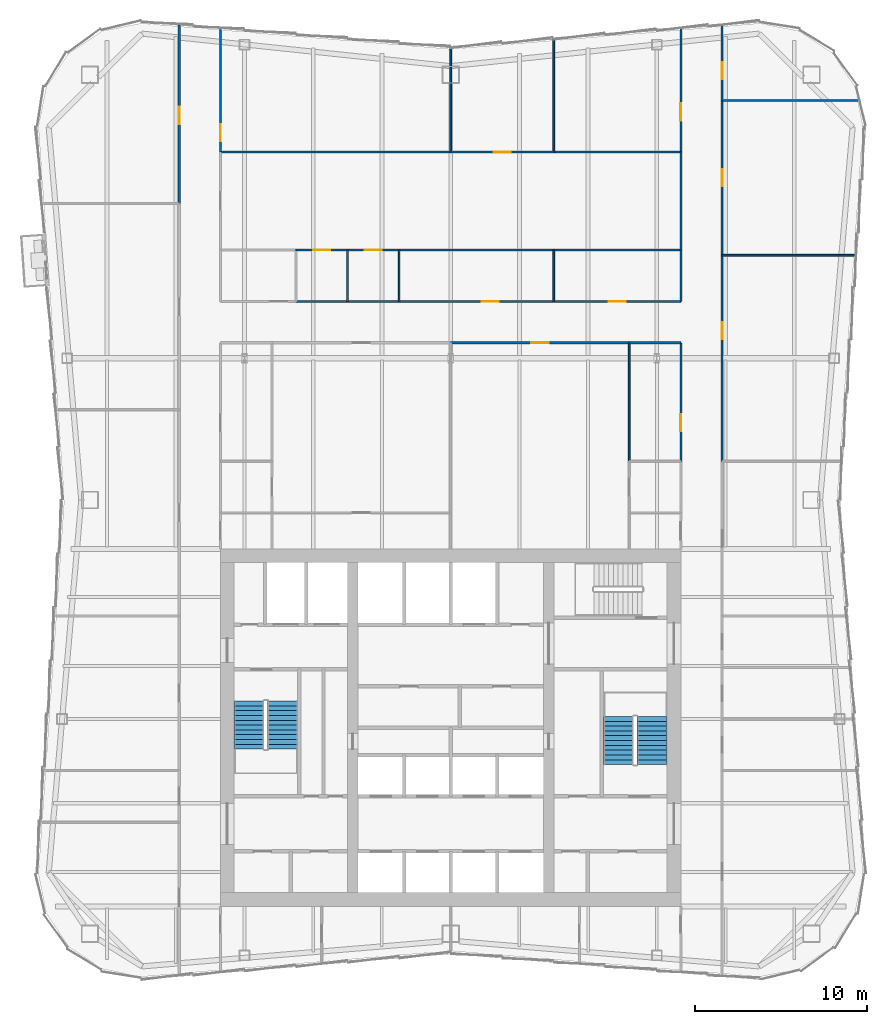
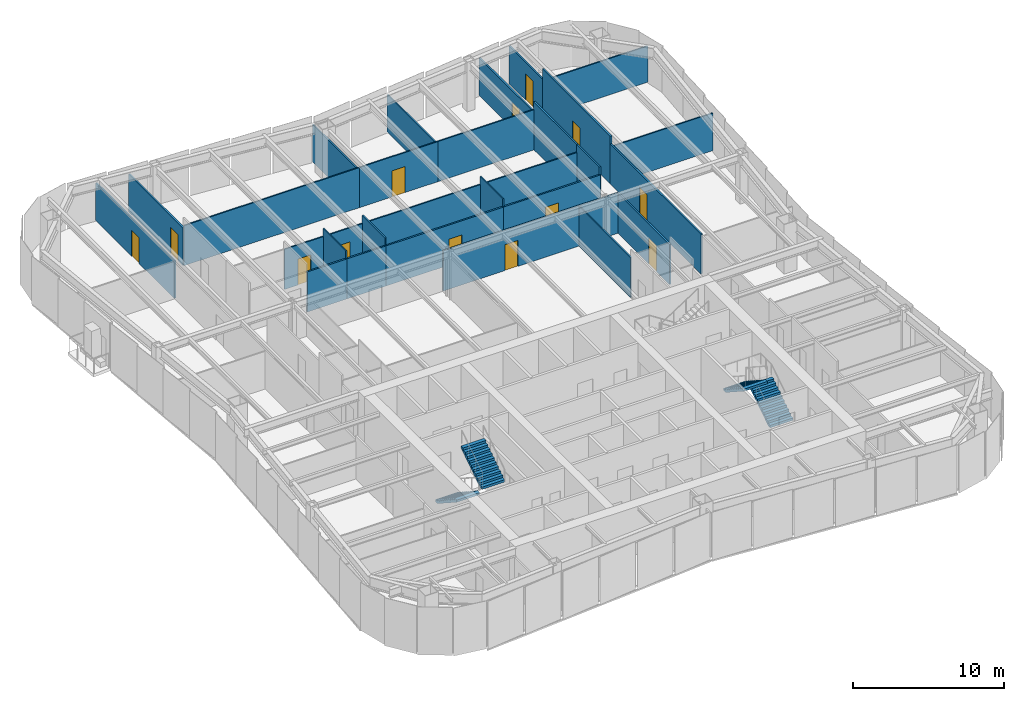
# One storey, part 9 of 12: 30 walls, 13 doors, 4 stair flights, 13 openings, 2 elements without a shape of their own.
"""IFC4 building model written with IfcOpenShell, lengths in metres."""

from ifc_helpers import new_model, si_unit, direction, frame, frame_2d, origin, place, context, subcontext, project, spatial, polyline, rectangle, outline, extrude, material, layer, layer_set, type_object, element, fill, aggregate, save


model = new_model("IFC4")

# Units and contexts
model_context = context("Model", 3, precision=1e-05, world=origin(), true_north=direction((0.0, 1.0)))
body_context = subcontext(model_context, "Body", "Model", "MODEL_VIEW")
ifc_project = project(units=[si_unit("LENGTHUNIT", "METRE"), si_unit("AREAUNIT", "SQUARE_METRE"), si_unit("VOLUMEUNIT", "CUBIC_METRE"), si_unit("PLANEANGLEUNIT", "RADIAN"), si_unit("MASSUNIT", "GRAM", prefix="KILO")], contexts=[model_context])

# Site, building, storey
site_placement = place(None, origin())
site = spatial("IfcSite", under=ifc_project, at=site_placement, CompositionType="ELEMENT")
building_placement = place(site_placement, origin())
building = spatial("IfcBuilding", under=site, at=building_placement, Name="Verdant Reach Tower", CompositionType="ELEMENT")
storey_placement = place(building_placement, frame((0.0, 0.0, 246.0)))
storey = spatial("IfcBuildingStorey", under=building, at=storey_placement, Name="L56", CompositionType="ELEMENT", Elevation=246.0)

# Walls
ifc_material_1 = material(Name="Gypsum board on steel studs", Category="steel")
ifc_layer_1 = layer(ifc_material_1, 0.10009765625)
ifc_layer_set_1 = layer_set([ifc_layer_1], Name="FL-W1 Partition 100")
wall_type_1 = type_object("IfcWallType", Name="FL-W1 Partition 100", PredefinedType="PARTITIONING", material=ifc_layer_set_1)
wall_1_placement = place(storey_placement, frame((23.562744140625, 55.5, 0.0), z_axis=(0.0, 0.0, 1.0), x_axis=(-1.0, 0.0, 0.0)))
element("IfcWall", 1, at=wall_1_placement, inside=storey, type_object=wall_type_1, Name="Partition 56.48", PredefinedType="PARTITIONING", context=body_context, shape_type="SweptSolid", body=[
    extrude(rectangle(XDim=7.7626953125, YDim=0.10009765625, at=frame_2d((3.88134765625, 0.0))), origin(), (0.0, 0.0, 1.0), 3.0400390625),
])
wall_2_placement = place(storey_placement, frame((23.781494140625, 64.5, 0.0), z_axis=(0.0, 0.0, 1.0), x_axis=(-1.0, 0.0, 0.0)))
element("IfcWall", 2, at=wall_2_placement, inside=storey, type_object=wall_type_1, Name="Partition 56.49", PredefinedType="PARTITIONING", context=body_context, shape_type="SweptSolid", body=[
    extrude(rectangle(XDim=7.9814453125, YDim=0.10009765625, at=frame_2d((3.99072265625, 0.0))), origin(), (0.0, 0.0, 1.0), 2.929931640625),
])
wall_3_placement = place(storey_placement, frame((10.39990234375, 50.39990234375, 0.0), z_axis=(0.0, 0.0, 1.0), x_axis=(0.0, -1.0, 0.0)))
element("IfcWall", 3, at=wall_3_placement, inside=storey, type_object=wall_type_1, Name="Partition 56.65", PredefinedType="PARTITIONING", context=body_context, shape_type="SweptSolid", body=[
    extrude(rectangle(XDim=6.90380859375, YDim=0.10009765625, at=frame_2d((3.451904296875, 0.0))), origin(), (0.0, 0.0, 1.0), 3.239990234375),
])
wall_4_placement = place(storey_placement, frame((-6.0, 52.800048828125, 0.0), z_axis=(0.0, 0.0, 1.0), x_axis=(0.0, 1.0, 0.0)))
element("IfcWall", 4, at=wall_4_placement, inside=storey, type_object=wall_type_1, Name="Partition 56.68", PredefinedType="PARTITIONING", context=body_context, shape_type="SweptSolid", body=[
    extrude(rectangle(XDim=3.0, YDim=0.10009765625, at=frame_2d((1.5, 0.0))), origin(), (0.0, 0.0, 1.0), 3.8701171875),
])

# Wall, opening, door
wall_5_placement = place(storey_placement, frame((-5.99609375, 55.800048828125, 0.0), z_axis=(0.0, 0.0, 1.0), x_axis=(-1.0, 0.0, 0.0)))
wall_5 = element("IfcWall", 5, at=wall_5_placement, inside=storey, type_object=wall_type_1, Name="Partition 56.69", PredefinedType="PARTITIONING", context=body_context, shape_type="SweptSolid", body=[
    extrude(rectangle(XDim=3.0078125, YDim=0.10009765625, at=frame_2d((1.50390625, 0.0))), origin(), (0.0, 0.0, 1.0), 3.239990234375),
])
opening_1_placement = place(wall_5_placement, frame((1.00390625, 0.0, 0.0)))
opening_1 = element("IfcOpeningElement", 6, at=opening_1_placement, cuts=wall_5, Name="Opening D3", PredefinedType="OPENING", context=body_context, shape_type="SweptSolid", body=[
    extrude(rectangle(XDim=1.0, YDim=2.10009765625, at=frame_2d((0.5, 1.050048828125))), frame((0.0, 0.06005859375, 0.0), z_axis=(0.0, -1.0, 0.0), x_axis=(1.0, 0.0, 0.0)), (0.0, 0.0, 1.0), 0.1201171875),
])
ifc_material_2 = material(Name="Painted timber door leaf", Category="wood")
door_type_1 = type_object("IfcDoorType", Name="FL-D3 Door 1000x2100", OperationType="NOTDEFINED", PredefinedType="DOOR", material=ifc_material_2)
door_1_placement = place(opening_1_placement, origin())
door_1 = element("IfcDoor", 7, at=door_1_placement, inside=storey, type_object=door_type_1, Name="Door 56-034", OperationType="SINGLE_SWING_RIGHT", OverallHeight=2.10009765625, OverallWidth=1.0, PredefinedType="DOOR", context=body_context, shape_type="SweptSolid", body=[
    extrude(rectangle(XDim=1.0, YDim=2.10009765625, at=frame_2d((0.5, 1.050048828125))), frame((0.0, 0.02490234375, 0.0), z_axis=(0.0, -1.0, 0.0), x_axis=(1.0, 0.0, 0.0)), (0.0, 0.0, 1.0), 0.050048828125),
])
fill(opening_1, door_1)

# Wall
wall_6_placement = place(storey_placement, frame((-3.0, 52.800048828125, 0.0), z_axis=(0.0, 0.0, 1.0), x_axis=(0.0, 1.0, 0.0)))
element("IfcWall", 8, at=wall_6_placement, inside=storey, type_object=wall_type_1, Name="Partition 56.70", PredefinedType="PARTITIONING", context=body_context, shape_type="SweptSolid", body=[
    extrude(rectangle(XDim=3.0, YDim=0.10009765625, at=frame_2d((1.5, 0.0))), origin(), (0.0, 0.0, 1.0), 3.8701171875),
])

# Wall, opening, door
wall_7_placement = place(storey_placement, frame((-2.99609375, 55.800048828125, 0.0), z_axis=(0.0, 0.0, 1.0), x_axis=(-1.0, 0.0, 0.0)))
wall_7 = element("IfcWall", 9, at=wall_7_placement, inside=storey, type_object=wall_type_1, Name="Partition 56.71", PredefinedType="PARTITIONING", context=body_context, shape_type="SweptSolid", body=[
    extrude(rectangle(XDim=3.0078125, YDim=0.10009765625, at=frame_2d((1.50390625, 0.0))), origin(), (0.0, 0.0, 1.0), 3.239990234375),
])
opening_2_placement = place(wall_7_placement, frame((1.00390625, 0.0, 0.0)))
opening_2 = element("IfcOpeningElement", 10, at=opening_2_placement, cuts=wall_7, Name="Opening D3", PredefinedType="OPENING", context=body_context, shape_type="SweptSolid", body=[
    extrude(rectangle(XDim=1.0, YDim=2.10009765625, at=frame_2d((0.5, 1.050048828125))), frame((0.0, 0.06005859375, 0.0), z_axis=(0.0, -1.0, 0.0), x_axis=(1.0, 0.0, 0.0)), (0.0, 0.0, 1.0), 0.1201171875),
])
door_2_placement = place(opening_2_placement, origin())
door_2 = element("IfcDoor", 11, at=door_2_placement, inside=storey, type_object=door_type_1, Name="Door 56-035", OperationType="SINGLE_SWING_LEFT", OverallHeight=2.10009765625, OverallWidth=1.0, PredefinedType="DOOR", context=body_context, shape_type="SweptSolid", body=[
    extrude(rectangle(XDim=1.0, YDim=2.10009765625, at=frame_2d((0.5, 1.050048828125))), frame((0.0, 0.02490234375, 0.0), z_axis=(0.0, -1.0, 0.0), x_axis=(1.0, 0.0, 0.0)), (0.0, 0.0, 1.0), 0.050048828125),
])
fill(opening_2, door_2)

# Walls
wall_8_placement = place(storey_placement, frame((6.0, 52.800048828125, 0.0), z_axis=(0.0, 0.0, 1.0), x_axis=(0.0, 1.0, 0.0)))
element("IfcWall", 12, at=wall_8_placement, inside=storey, type_object=wall_type_1, Name="Partition 56.72", PredefinedType="PARTITIONING", context=body_context, shape_type="SweptSolid", body=[
    extrude(rectangle(XDim=3.0, YDim=0.10009765625, at=frame_2d((1.5, 0.0))), origin(), (0.0, 0.0, 1.0), 3.8701171875),
])
wall_9_placement = place(storey_placement, frame((6.00390625, 55.800048828125, 0.0), z_axis=(0.0, 0.0, 1.0), x_axis=(-1.0, 0.0, 0.0)))
element("IfcWall", 13, at=wall_9_placement, inside=storey, type_object=wall_type_1, Name="Partition 56.73", PredefinedType="PARTITIONING", context=body_context, shape_type="SweptSolid", body=[
    extrude(rectangle(XDim=9.0078125, YDim=0.10009765625, at=frame_2d((4.50390625, 0.0))), origin(), (0.0, 0.0, 1.0), 3.239990234375),
])
wall_10_placement = place(storey_placement, frame((13.39990234375, 55.800048828125, 0.0), z_axis=(0.0, 0.0, 1.0), x_axis=(-1.0, 0.0, 0.0)))
element("IfcWall", 14, at=wall_10_placement, inside=storey, type_object=wall_type_1, Name="Partition 56.74", PredefinedType="PARTITIONING", context=body_context, shape_type="SweptSolid", body=[
    extrude(rectangle(XDim=7.40380859375, YDim=0.10009765625, at=frame_2d((3.701904296875, 0.0))), origin(), (0.0, 0.0, 1.0), 3.239990234375),
])
wall_11_placement = place(storey_placement, frame((0.0, 61.5, 0.0), z_axis=(0.0, 0.0, 1.0), x_axis=(-1.0, 0.0, 0.0)))
element("IfcWall", 15, at=wall_11_placement, inside=storey, type_object=wall_type_1, Name="Partition 56.75", PredefinedType="PARTITIONING", context=body_context, shape_type="SweptSolid", body=[
    extrude(rectangle(XDim=13.39990234375, YDim=0.10009765625, at=frame_2d((6.699951171875, 0.0))), origin(), (0.0, 0.0, 1.0), 3.239990234375),
])

# Wall, opening, door
wall_12_placement = place(storey_placement, frame((0.0, 61.5, 0.0), z_axis=(0.0, 0.0, 1.0), x_axis=(1.0, 0.0, 0.0)))
wall_12 = element("IfcWall", 16, at=wall_12_placement, inside=storey, type_object=wall_type_1, Name="Partition 56.76", PredefinedType="PARTITIONING", context=body_context, shape_type="SweptSolid", body=[
    extrude(rectangle(XDim=6.0, YDim=0.10009765625, at=frame_2d((3.0, 0.0))), origin(), (0.0, 0.0, 1.0), 3.239990234375),
])
opening_3_placement = place(wall_12_placement, frame((2.5, 0.0, 0.0)))
opening_3 = element("IfcOpeningElement", 17, at=opening_3_placement, cuts=wall_12, Name="Opening D3", PredefinedType="OPENING", context=body_context, shape_type="SweptSolid", body=[
    extrude(rectangle(XDim=1.0, YDim=2.10009765625, at=frame_2d((0.5, 1.050048828125))), frame((0.0, 0.06005859375, 0.0), z_axis=(0.0, -1.0, 0.0), x_axis=(1.0, 0.0, 0.0)), (0.0, 0.0, 1.0), 0.1201171875),
])
door_3_placement = place(opening_3_placement, origin())
door_3 = element("IfcDoor", 18, at=door_3_placement, inside=storey, type_object=door_type_1, Name="Door 56-036", OperationType="SINGLE_SWING_RIGHT", OverallHeight=2.10009765625, OverallWidth=1.0, PredefinedType="DOOR", context=body_context, shape_type="SweptSolid", body=[
    extrude(rectangle(XDim=1.0, YDim=2.10009765625, at=frame_2d((0.5, 1.050048828125))), frame((0.0, 0.02490234375, 0.0), z_axis=(0.0, -1.0, 0.0), x_axis=(1.0, 0.0, 0.0)), (0.0, 0.0, 1.0), 0.050048828125),
])
fill(opening_3, door_3)

# Walls
wall_13_placement = place(storey_placement, frame((13.39990234375, 61.5, 0.0), z_axis=(0.0, 0.0, 1.0), x_axis=(-1.0, 0.0, 0.0)))
element("IfcWall", 19, at=wall_13_placement, inside=storey, type_object=wall_type_1, Name="Partition 56.77", PredefinedType="PARTITIONING", context=body_context, shape_type="SweptSolid", body=[
    extrude(rectangle(XDim=7.39990234375, YDim=0.10009765625, at=frame_2d((3.699951171875, 0.0))), origin(), (0.0, 0.0, 1.0), 3.239990234375),
])
wall_14_placement = place(storey_placement, frame((0.0, 61.5, 0.0), z_axis=(0.0, 0.0, 1.0), x_axis=(0.0, 1.0, 0.0)))
element("IfcWall", 20, at=wall_14_placement, inside=storey, type_object=wall_type_1, Name="Partition 56.78", PredefinedType="PARTITIONING", context=body_context, shape_type="SweptSolid", body=[
    extrude(rectangle(XDim=6.080078125, YDim=0.10009765625, at=frame_2d((3.0400390625, 0.0))), origin(), (0.0, 0.0, 1.0), 3.0400390625),
])
wall_15_placement = place(storey_placement, frame((6.0, 61.5, 0.0), z_axis=(0.0, 0.0, 1.0), x_axis=(0.0, 1.0, 0.0)))
element("IfcWall", 21, at=wall_15_placement, inside=storey, type_object=wall_type_1, Name="Partition 56.79", PredefinedType="PARTITIONING", context=body_context, shape_type="SweptSolid", body=[
    extrude(rectangle(XDim=6.580078125, YDim=0.10009765625, at=frame_2d((3.2900390625, 0.0))), origin(), (0.0, 0.0, 1.0), 3.0400390625),
])

# Wall, opening, door
ifc_material_3 = material(Name="Gypsum board on steel studs, fire rated", Category="steel")
ifc_layer_2 = layer(ifc_material_3, 0.125)
ifc_layer_set_2 = layer_set([ifc_layer_2], Name="FL-W2 Corridor wall 125")
wall_type_2 = type_object("IfcWallType", Name="FL-W2 Corridor wall 125", PredefinedType="PARTITIONING", material=ifc_layer_set_2)
wall_16_placement = place(storey_placement, frame((-15.800048828125, 58.5, 0.0), z_axis=(0.0, 0.0, 1.0), x_axis=(0.0, 1.0, 0.0)))
wall_16 = element("IfcWall", 22, at=wall_16_placement, inside=storey, type_object=wall_type_2, Name="Partition 56.06", PredefinedType="PARTITIONING", context=body_context, shape_type="SweptSolid", body=[
    extrude(rectangle(XDim=10.396728515625, YDim=0.125, at=frame_2d((5.1982421875, 0.0))), origin(), (0.0, 0.0, 1.0), 3.0400390625),
])
opening_4_placement = place(wall_16_placement, frame((4.63330078125, 0.0, 0.0)))
opening_4 = element("IfcOpeningElement", 23, at=opening_4_placement, cuts=wall_16, Name="Opening D2", PredefinedType="OPENING", context=body_context, shape_type="SweptSolid", body=[
    extrude(rectangle(XDim=1.0, YDim=2.10009765625, at=frame_2d((0.5, 1.050048828125))), frame((0.0, 0.072509765625, 0.0), z_axis=(0.0, -1.0, 0.0), x_axis=(1.0, 0.0, 0.0)), (0.0, 0.0, 1.0), 0.14501953125),
])
ifc_material_4 = material(Name="Timber door leaf, fire rated", Category="wood")
door_type_2 = type_object("IfcDoorType", Name="FL-D2 Entrance door 1000x2100 FD30", OperationType="NOTDEFINED", PredefinedType="DOOR", material=ifc_material_4)
door_4_placement = place(opening_4_placement, origin())
door_4 = element("IfcDoor", 24, at=door_4_placement, inside=storey, type_object=door_type_2, Name="Door 56-006", OperationType="SINGLE_SWING_LEFT", OverallHeight=2.10009765625, OverallWidth=1.0, PredefinedType="DOOR", context=body_context, shape_type="SweptSolid", body=[
    extrude(rectangle(XDim=1.0, YDim=2.10009765625, at=frame_2d((0.5, 1.050048828125))), frame((0.0, 0.02490234375, 0.0), z_axis=(0.0, -1.0, 0.0), x_axis=(1.0, 0.0, 0.0)), (0.0, 0.0, 1.0), 0.050048828125),
])
fill(opening_4, door_4)

wall_17_placement = place(storey_placement, frame((15.800048828125, 55.5, 0.0), z_axis=(0.0, 0.0, 1.0), x_axis=(0.0, -1.0, 0.0)))
wall_17 = element("IfcWall", 25, at=wall_17_placement, inside=storey, type_object=wall_type_2, Name="Partition 56.12", PredefinedType="PARTITIONING", context=body_context, shape_type="SweptSolid", body=[
    extrude(rectangle(XDim=12.0, YDim=0.125, at=frame_2d((6.0, 0.0))), origin(), (0.0, 0.0, 1.0), 3.239990234375),
])
opening_5_placement = place(wall_17_placement, frame((3.89990234375, 0.0, 0.0)))
opening_5 = element("IfcOpeningElement", 26, at=opening_5_placement, cuts=wall_17, Name="Opening D2", PredefinedType="OPENING", context=body_context, shape_type="SweptSolid", body=[
    extrude(rectangle(XDim=1.0, YDim=2.10009765625, at=frame_2d((0.5, 1.050048828125))), frame((0.0, 0.072509765625, 0.0), z_axis=(0.0, -1.0, 0.0), x_axis=(1.0, 0.0, 0.0)), (0.0, 0.0, 1.0), 0.14501953125),
])
door_5_placement = place(opening_5_placement, origin())
door_5 = element("IfcDoor", 27, at=door_5_placement, inside=storey, type_object=door_type_2, Name="Door 56-012", OperationType="SINGLE_SWING_LEFT", OverallHeight=2.10009765625, OverallWidth=1.0, PredefinedType="DOOR", context=body_context, shape_type="SweptSolid", body=[
    extrude(rectangle(XDim=1.0, YDim=2.10009765625, at=frame_2d((0.5, 1.050048828125))), frame((0.0, 0.02490234375, 0.0), z_axis=(0.0, -1.0, 0.0), x_axis=(1.0, 0.0, 0.0)), (0.0, 0.0, 1.0), 0.050048828125),
])
fill(opening_5, door_5)

wall_18_placement = place(storey_placement, frame((15.800048828125, 64.5, 0.0), z_axis=(0.0, 0.0, 1.0), x_axis=(0.0, -1.0, 0.0)))
wall_18 = element("IfcWall", 28, at=wall_18_placement, inside=storey, type_object=wall_type_2, Name="Partition 56.13", PredefinedType="PARTITIONING", context=body_context, shape_type="SweptSolid", body=[
    extrude(rectangle(XDim=9.0, YDim=0.125, at=frame_2d((4.5, 0.0))), origin(), (0.0, 0.0, 1.0), 3.8701171875),
])
opening_6_placement = place(wall_18_placement, frame((4.0, 0.0, 0.0)))
opening_6 = element("IfcOpeningElement", 29, at=opening_6_placement, cuts=wall_18, Name="Opening D2", PredefinedType="OPENING", context=body_context, shape_type="SweptSolid", body=[
    extrude(rectangle(XDim=1.0, YDim=2.10009765625, at=frame_2d((0.5, 1.050048828125))), frame((0.0, 0.072509765625, 0.0), z_axis=(0.0, -1.0, 0.0), x_axis=(1.0, 0.0, 0.0)), (0.0, 0.0, 1.0), 0.14501953125),
])
door_6_placement = place(opening_6_placement, origin())
door_6 = element("IfcDoor", 30, at=door_6_placement, inside=storey, type_object=door_type_2, Name="Door 56-013", OperationType="SINGLE_SWING_LEFT", OverallHeight=2.10009765625, OverallWidth=1.0, PredefinedType="DOOR", context=body_context, shape_type="SweptSolid", body=[
    extrude(rectangle(XDim=1.0, YDim=2.10009765625, at=frame_2d((0.5, 1.050048828125))), frame((0.0, 0.02490234375, 0.0), z_axis=(0.0, -1.0, 0.0), x_axis=(1.0, 0.0, 0.0)), (0.0, 0.0, 1.0), 0.050048828125),
])
fill(opening_6, door_6)

wall_19_placement = place(storey_placement, frame((15.800048828125, 68.896728515625, 0.0), z_axis=(0.0, 0.0, 1.0), x_axis=(0.0, -1.0, 0.0)))
wall_19 = element("IfcWall", 31, at=wall_19_placement, inside=storey, type_object=wall_type_2, Name="Partition 56.14", PredefinedType="PARTITIONING", context=body_context, shape_type="SweptSolid", body=[
    extrude(rectangle(XDim=4.396728515625, YDim=0.125, at=frame_2d((2.1982421875, 0.0))), origin(), (0.0, 0.0, 1.0), 3.0400390625),
])
opening_7_placement = place(wall_19_placement, frame((2.163330078125, 0.0, 0.0)))
opening_7 = element("IfcOpeningElement", 32, at=opening_7_placement, cuts=wall_19, Name="Opening D2", PredefinedType="OPENING", context=body_context, shape_type="SweptSolid", body=[
    extrude(rectangle(XDim=1.0, YDim=2.10009765625, at=frame_2d((0.5, 1.050048828125))), frame((0.0, 0.072509765625, 0.0), z_axis=(0.0, -1.0, 0.0), x_axis=(1.0, 0.0, 0.0)), (0.0, 0.0, 1.0), 0.14501953125),
])
door_7_placement = place(opening_7_placement, origin())
door_7 = element("IfcDoor", 33, at=door_7_placement, inside=storey, type_object=door_type_2, Name="Door 56-014", OperationType="SINGLE_SWING_RIGHT", OverallHeight=2.10009765625, OverallWidth=1.0, PredefinedType="DOOR", context=body_context, shape_type="SweptSolid", body=[
    extrude(rectangle(XDim=1.0, YDim=2.10009765625, at=frame_2d((0.5, 1.050048828125))), frame((0.0, 0.02490234375, 0.0), z_axis=(0.0, -1.0, 0.0), x_axis=(1.0, 0.0, 0.0)), (0.0, 0.0, 1.0), 0.050048828125),
])
fill(opening_7, door_7)

# Wall
wall_20_placement = place(storey_placement, frame((13.39990234375, 50.39990234375, 0.0), z_axis=(0.0, 0.0, 1.0), x_axis=(-1.0, 0.0, 0.0)))
element("IfcWall", 34, at=wall_20_placement, inside=storey, type_object=wall_type_2, Name="Partition 56.24", PredefinedType="PARTITIONING", context=body_context, shape_type="SweptSolid", body=[
    extrude(rectangle(XDim=3.0, YDim=0.125, at=frame_2d((1.5, 0.0))), origin(), (0.0, 0.0, 1.0), 3.239990234375),
])

# Wall, opening, door
wall_21_placement = place(storey_placement, frame((13.39990234375, 43.5, 0.0), z_axis=(0.0, 0.0, 1.0), x_axis=(0.0, 1.0, 0.0)))
wall_21 = element("IfcWall", 35, at=wall_21_placement, inside=storey, type_object=wall_type_2, Name="Partition 56.25", PredefinedType="PARTITIONING", context=body_context, shape_type="SweptSolid", body=[
    extrude(rectangle(XDim=6.89990234375, YDim=0.125, at=frame_2d((3.449951171875, 0.0))), origin(), (0.0, 0.0, 1.0), 3.239990234375),
])
opening_8_placement = place(wall_21_placement, frame((1.75, 0.0, 0.0)))
opening_8 = element("IfcOpeningElement", 36, at=opening_8_placement, cuts=wall_21, Name="Opening D2", PredefinedType="OPENING", context=body_context, shape_type="SweptSolid", body=[
    extrude(rectangle(XDim=1.0, YDim=2.10009765625, at=frame_2d((0.5, 1.050048828125))), frame((0.0, 0.072509765625, 0.0), z_axis=(0.0, -1.0, 0.0), x_axis=(1.0, 0.0, 0.0)), (0.0, 0.0, 1.0), 0.14501953125),
])
door_8_placement = place(opening_8_placement, origin())
door_8 = element("IfcDoor", 37, at=door_8_placement, inside=storey, type_object=door_type_2, Name="Door 56-021", OperationType="SINGLE_SWING_LEFT", OverallHeight=2.10009765625, OverallWidth=1.0, PredefinedType="DOOR", context=body_context, shape_type="SweptSolid", body=[
    extrude(rectangle(XDim=1.0, YDim=2.10009765625, at=frame_2d((0.5, 1.050048828125))), frame((0.0, 0.02490234375, 0.0), z_axis=(0.0, -1.0, 0.0), x_axis=(1.0, 0.0, 0.0)), (0.0, 0.0, 1.0), 0.050048828125),
])
fill(opening_8, door_8)

wall_22_placement = place(storey_placement, frame((10.39990234375, 50.39990234375, 0.0), z_axis=(0.0, 0.0, 1.0), x_axis=(-1.0, 0.0, 0.0)))
wall_22 = element("IfcWall", 38, at=wall_22_placement, inside=storey, type_object=wall_type_2, Name="Partition 56.26", PredefinedType="PARTITIONING", context=body_context, shape_type="SweptSolid", body=[
    extrude(rectangle(XDim=10.39990234375, YDim=0.125, at=frame_2d((5.199951171875, 0.0))), origin(), (0.0, 0.0, 1.0), 3.239990234375),
])
opening_9_placement = place(wall_22_placement, frame((4.699951171875, 0.0, 0.0)))
opening_9 = element("IfcOpeningElement", 39, at=opening_9_placement, cuts=wall_22, Name="Opening D2", PredefinedType="OPENING", context=body_context, shape_type="SweptSolid", body=[
    extrude(rectangle(XDim=1.0, YDim=2.10009765625, at=frame_2d((0.5, 1.050048828125))), frame((0.0, 0.072509765625, 0.0), z_axis=(0.0, -1.0, 0.0), x_axis=(1.0, 0.0, 0.0)), (0.0, 0.0, 1.0), 0.14501953125),
])
door_9_placement = place(opening_9_placement, origin())
door_9 = element("IfcDoor", 40, at=door_9_placement, inside=storey, type_object=door_type_2, Name="Door 56-022", OperationType="SINGLE_SWING_RIGHT", OverallHeight=2.10009765625, OverallWidth=1.0, PredefinedType="DOOR", context=body_context, shape_type="SweptSolid", body=[
    extrude(rectangle(XDim=1.0, YDim=2.10009765625, at=frame_2d((0.5, 1.050048828125))), frame((0.0, 0.02490234375, 0.0), z_axis=(0.0, -1.0, 0.0), x_axis=(1.0, 0.0, 0.0)), (0.0, 0.0, 1.0), 0.050048828125),
])
fill(opening_9, door_9)

# Walls
for number, where, z_axis, x_axis, name in (
    (41, (-6.0, 52.800048828125, 0.0), (0.0, 0.0, 1.0), (-1.0, 0.0, 0.0), "Partition 56.29"),
    (42, (-3.0, 52.800048828125, 0.0), (0.0, 0.0, 1.0), (-1.0, 0.0, 0.0), "Partition 56.30"),
):
    element("IfcWall", number, at=place(storey_placement, frame(where, z_axis=z_axis, x_axis=x_axis)), inside=storey, type_object=wall_type_2, Name=name, PredefinedType="PARTITIONING", context=body_context, shape_type="SweptSolid", body=[
        extrude(rectangle(XDim=3.0, YDim=0.125, at=frame_2d((1.5, 0.0))), origin(), (0.0, 0.0, 1.0), 3.239990234375),
    ])

# Wall, opening, door
wall_23_placement = place(storey_placement, frame((-3.0, 52.800048828125, 0.0), z_axis=(0.0, 0.0, 1.0), x_axis=(1.0, 0.0, 0.0)))
wall_23 = element("IfcWall", 43, at=wall_23_placement, inside=storey, type_object=wall_type_2, Name="Partition 56.31", PredefinedType="PARTITIONING", context=body_context, shape_type="SweptSolid", body=[
    extrude(rectangle(XDim=9.0, YDim=0.125, at=frame_2d((4.5, 0.0))), origin(), (0.0, 0.0, 1.0), 3.239990234375),
])
opening_10_placement = place(wall_23_placement, frame((4.800048828125, 0.0, 0.0)))
opening_10 = element("IfcOpeningElement", 44, at=opening_10_placement, cuts=wall_23, Name="Opening D2", PredefinedType="OPENING", context=body_context, shape_type="SweptSolid", body=[
    extrude(rectangle(XDim=1.0, YDim=2.10009765625, at=frame_2d((0.5, 1.050048828125))), frame((0.0, 0.072509765625, 0.0), z_axis=(0.0, -1.0, 0.0), x_axis=(1.0, 0.0, 0.0)), (0.0, 0.0, 1.0), 0.14501953125),
])
door_10_placement = place(opening_10_placement, origin())
door_10 = element("IfcDoor", 45, at=door_10_placement, inside=storey, type_object=door_type_2, Name="Door 56-024", OperationType="SINGLE_SWING_RIGHT", OverallHeight=2.10009765625, OverallWidth=1.0, PredefinedType="DOOR", context=body_context, shape_type="SweptSolid", body=[
    extrude(rectangle(XDim=1.0, YDim=2.10009765625, at=frame_2d((0.5, 1.050048828125))), frame((0.0, 0.02490234375, 0.0), z_axis=(0.0, -1.0, 0.0), x_axis=(1.0, 0.0, 0.0)), (0.0, 0.0, 1.0), 0.050048828125),
])
fill(opening_10, door_10)

# Wall
wall_24_placement = place(storey_placement, frame((13.39990234375, 52.800048828125, 0.0), z_axis=(0.0, 0.0, 1.0), x_axis=(0.0, 1.0, 0.0)))
element("IfcWall", 46, at=wall_24_placement, inside=storey, type_object=wall_type_2, Name="Partition 56.32", PredefinedType="PARTITIONING", context=body_context, shape_type="SweptSolid", body=[
    extrude(rectangle(XDim=3.0, YDim=0.125, at=frame_2d((1.5, 0.0))), origin(), (0.0, 0.0, 1.0), 3.8701171875),
])

# Wall, opening, door
wall_25_placement = place(storey_placement, frame((6.0, 52.800048828125, 0.0), z_axis=(0.0, 0.0, 1.0), x_axis=(1.0, 0.0, 0.0)))
wall_25 = element("IfcWall", 47, at=wall_25_placement, inside=storey, type_object=wall_type_2, Name="Partition 56.33", PredefinedType="PARTITIONING", context=body_context, shape_type="SweptSolid", body=[
    extrude(rectangle(XDim=7.39990234375, YDim=0.125, at=frame_2d((3.699951171875, 0.0))), origin(), (0.0, 0.0, 1.0), 3.239990234375),
])
opening_11_placement = place(wall_25_placement, frame((3.199951171875, 0.0, 0.0)))
opening_11 = element("IfcOpeningElement", 48, at=opening_11_placement, cuts=wall_25, Name="Opening D2", PredefinedType="OPENING", context=body_context, shape_type="SweptSolid", body=[
    extrude(rectangle(XDim=1.0, YDim=2.10009765625, at=frame_2d((0.5, 1.050048828125))), frame((0.0, 0.072509765625, 0.0), z_axis=(0.0, -1.0, 0.0), x_axis=(1.0, 0.0, 0.0)), (0.0, 0.0, 1.0), 0.14501953125),
])
door_11_placement = place(opening_11_placement, origin())
door_11 = element("IfcDoor", 49, at=door_11_placement, inside=storey, type_object=door_type_2, Name="Door 56-025", OperationType="SINGLE_SWING_LEFT", OverallHeight=2.10009765625, OverallWidth=1.0, PredefinedType="DOOR", context=body_context, shape_type="SweptSolid", body=[
    extrude(rectangle(XDim=1.0, YDim=2.10009765625, at=frame_2d((0.5, 1.050048828125))), frame((0.0, 0.02490234375, 0.0), z_axis=(0.0, -1.0, 0.0), x_axis=(1.0, 0.0, 0.0)), (0.0, 0.0, 1.0), 0.050048828125),
])
fill(opening_11, door_11)

# Wall
wall_26_placement = place(storey_placement, frame((13.39990234375, 55.800048828125, 0.0), z_axis=(0.0, 0.0, 1.0), x_axis=(0.0, 1.0, 0.0)))
element("IfcWall", 50, at=wall_26_placement, inside=storey, type_object=wall_type_2, Name="Partition 56.35", PredefinedType="PARTITIONING", context=body_context, shape_type="SweptSolid", body=[
    extrude(rectangle(XDim=5.699951171875, YDim=0.125, at=frame_2d((2.85009765625, 0.0))), origin(), (0.0, 0.0, 1.0), 3.8701171875),
])

# Wall, opening, door
wall_27_placement = place(storey_placement, frame((-13.39990234375, 68.69677734375, 0.0), z_axis=(0.0, 0.0, 1.0), x_axis=(0.0, -1.0, 0.0)))
wall_27 = element("IfcWall", 51, at=wall_27_placement, inside=storey, type_object=wall_type_2, Name="Partition 56.36", PredefinedType="PARTITIONING", context=body_context, shape_type="SweptSolid", body=[
    extrude(rectangle(XDim=7.19677734375, YDim=0.125, at=frame_2d((3.598388671875, 0.0))), origin(), (0.0, 0.0, 1.0), 3.0400390625),
])
opening_12_placement = place(wall_27_placement, frame((5.5634765625, 0.0, 0.0)))
opening_12 = element("IfcOpeningElement", 52, at=opening_12_placement, cuts=wall_27, Name="Opening D2", PredefinedType="OPENING", context=body_context, shape_type="SweptSolid", body=[
    extrude(rectangle(XDim=1.0, YDim=2.10009765625, at=frame_2d((0.5, 1.050048828125))), frame((0.0, 0.072509765625, 0.0), z_axis=(0.0, -1.0, 0.0), x_axis=(1.0, 0.0, 0.0)), (0.0, 0.0, 1.0), 0.14501953125),
])
door_12_placement = place(opening_12_placement, origin())
door_12 = element("IfcDoor", 53, at=door_12_placement, inside=storey, type_object=door_type_2, Name="Door 56-027", OperationType="SINGLE_SWING_RIGHT", OverallHeight=2.10009765625, OverallWidth=1.0, PredefinedType="DOOR", context=body_context, shape_type="SweptSolid", body=[
    extrude(rectangle(XDim=1.0, YDim=2.10009765625, at=frame_2d((0.5, 1.050048828125))), frame((0.0, 0.02490234375, 0.0), z_axis=(0.0, -1.0, 0.0), x_axis=(1.0, 0.0, 0.0)), (0.0, 0.0, 1.0), 0.050048828125),
])
fill(opening_12, door_12)

wall_28_placement = place(storey_placement, frame((13.39990234375, 61.5, 0.0), z_axis=(0.0, 0.0, 1.0), x_axis=(0.0, 1.0, 0.0)))
wall_28 = element("IfcWall", 54, at=wall_28_placement, inside=storey, type_object=wall_type_2, Name="Partition 56.37", PredefinedType="PARTITIONING", context=body_context, shape_type="SweptSolid", body=[
    extrude(rectangle(XDim=7.19677734375, YDim=0.125, at=frame_2d((3.598388671875, 0.0))), origin(), (0.0, 0.0, 1.0), 3.0400390625),
])
opening_13_placement = place(wall_28_placement, frame((1.833251953125, 0.0, 0.0)))
opening_13 = element("IfcOpeningElement", 55, at=opening_13_placement, cuts=wall_28, Name="Opening D2", PredefinedType="OPENING", context=body_context, shape_type="SweptSolid", body=[
    extrude(rectangle(XDim=1.0, YDim=2.10009765625, at=frame_2d((0.5, 1.050048828125))), frame((0.0, 0.072509765625, 0.0), z_axis=(0.0, -1.0, 0.0), x_axis=(1.0, 0.0, 0.0)), (0.0, 0.0, 1.0), 0.14501953125),
])
door_13_placement = place(opening_13_placement, origin())
door_13 = element("IfcDoor", 56, at=door_13_placement, inside=storey, type_object=door_type_2, Name="Door 56-028", OperationType="SINGLE_SWING_LEFT", OverallHeight=2.10009765625, OverallWidth=1.0, PredefinedType="DOOR", context=body_context, shape_type="SweptSolid", body=[
    extrude(rectangle(XDim=1.0, YDim=2.10009765625, at=frame_2d((0.5, 1.050048828125))), frame((0.0, 0.02490234375, 0.0), z_axis=(0.0, -1.0, 0.0), x_axis=(1.0, 0.0, 0.0)), (0.0, 0.0, 1.0), 0.050048828125),
])
fill(opening_13, door_13)

# Stair, stair flights
ifc_material_5 = material(Name="Concrete C40/50", Category="concrete")
stair_type = type_object("IfcStairType", Name="CO-STAIR", PredefinedType="HALF_TURN_STAIR", material=ifc_material_5)
stair_1_placement = place(storey_placement, origin())
stair_1 = element("IfcStair", 57, at=stair_1_placement, inside=storey, type_object=stair_type, Name="L56 Exit stair 1", PredefinedType="HALF_TURN_STAIR")
stair_flight_type = type_object("IfcStairFlightType", Name="CO-STAIR-FLIGHT", PredefinedType="STRAIGHT", material=ifc_material_5)
stair_flight_1_placement = place(storey_placement, frame((-11.72509765625, 29.550048828125, 0.0), z_axis=(0.0, 0.0, 1.0), x_axis=(0.0, -1.0, 0.0)))
stair_flight_1 = element("IfcStairFlight", 58, at=stair_flight_1_placement, type_object=stair_flight_type, Name="ST-1 flight 1", NumberOfRisers=11, NumberOfTreads=10, PredefinedType="STRAIGHT", RiserHeight=0.181818182, TreadLength=0.28, context=body_context, shape_type="SweptSolid", body=[
    extrude(outline(polyline([(0.0, 0.0), (0.0, 0.181884765625), (0.280029296875, 0.181884765625), (0.280029296875, 0.363525390625), (0.56005859375, 0.363525390625), (0.56005859375, 0.54541015625), (0.840087890625, 0.54541015625), (0.840087890625, 0.727294921875), (1.1201171875, 0.727294921875), (1.1201171875, 0.9091796875), (1.39990234375, 0.9091796875), (1.39990234375, 1.0908203125), (1.679931640625, 1.0908203125), (1.679931640625, 1.272705078125), (1.9599609375, 1.272705078125), (1.9599609375, 1.45458984375), (2.239990234375, 1.45458984375), (2.239990234375, 1.636474609375), (2.52001953125, 1.636474609375), (2.52001953125, 1.818115234375), (2.800048828125, 1.818115234375), (2.800048828125, 2.0), (2.800048828125, 1.639404296875), (0.275146484375, 0.0), (0.0, 0.0)])), frame((0.0, 0.875, 0.0), z_axis=(0.0, -1.0, 0.0), x_axis=(1.0, 0.0, 0.0)), (0.0, 0.0, 1.0), 1.75),
])
stair_flight_2_placement = place(storey_placement, frame((-9.77490234375, 26.75, 2.0), z_axis=(0.0, 0.0, 1.0), x_axis=(0.0, 1.0, 0.0)))
stair_flight_2 = element("IfcStairFlight", 59, at=stair_flight_2_placement, type_object=stair_flight_type, Name="ST-1 flight 2", NumberOfRisers=11, NumberOfTreads=10, PredefinedType="STRAIGHT", RiserHeight=0.181818182, TreadLength=0.28, context=body_context, shape_type="SweptSolid", body=[
    extrude(outline(polyline([(0.0, 0.0), (0.0, 0.181884765625), (0.280029296875, 0.181884765625), (0.280029296875, 0.363525390625), (0.56005859375, 0.363525390625), (0.56005859375, 0.54541015625), (0.840087890625, 0.54541015625), (0.840087890625, 0.727294921875), (1.1201171875, 0.727294921875), (1.1201171875, 0.9091796875), (1.39990234375, 0.9091796875), (1.39990234375, 1.0908203125), (1.679931640625, 1.0908203125), (1.679931640625, 1.272705078125), (1.9599609375, 1.272705078125), (1.9599609375, 1.45458984375), (2.239990234375, 1.45458984375), (2.239990234375, 1.636474609375), (2.52001953125, 1.636474609375), (2.52001953125, 1.818115234375), (2.800048828125, 1.818115234375), (2.800048828125, 2.0), (2.800048828125, 1.639404296875), (0.275146484375, 0.0), (0.0, 0.0)])), frame((0.0, 0.875, 0.0), z_axis=(0.0, -1.0, 0.0), x_axis=(1.0, 0.0, 0.0)), (0.0, 0.0, 1.0), 1.75),
])
aggregate(stair_1, [stair_flight_1, stair_flight_2])

stair_2_placement = place(storey_placement, origin())
stair_2 = element("IfcStair", 60, at=stair_2_placement, inside=storey, type_object=stair_type, Name="L56 Exit stair 2", PredefinedType="HALF_TURN_STAIR")
stair_flight_3_placement = place(storey_placement, frame((11.72509765625, 25.85009765625, 0.0), z_axis=(0.0, 0.0, 1.0), x_axis=(0.0, 1.0, 0.0)))
stair_flight_3 = element("IfcStairFlight", 61, at=stair_flight_3_placement, type_object=stair_flight_type, Name="ST-2 flight 1", NumberOfRisers=11, NumberOfTreads=10, PredefinedType="STRAIGHT", RiserHeight=0.181818182, TreadLength=0.28, context=body_context, shape_type="SweptSolid", body=[
    extrude(outline(polyline([(0.0, 0.0), (0.0, 0.181884765625), (0.280029296875, 0.181884765625), (0.280029296875, 0.363525390625), (0.56005859375, 0.363525390625), (0.56005859375, 0.54541015625), (0.840087890625, 0.54541015625), (0.840087890625, 0.727294921875), (1.1201171875, 0.727294921875), (1.1201171875, 0.9091796875), (1.39990234375, 0.9091796875), (1.39990234375, 1.0908203125), (1.679931640625, 1.0908203125), (1.679931640625, 1.272705078125), (1.9599609375, 1.272705078125), (1.9599609375, 1.45458984375), (2.239990234375, 1.45458984375), (2.239990234375, 1.636474609375), (2.52001953125, 1.636474609375), (2.52001953125, 1.818115234375), (2.800048828125, 1.818115234375), (2.800048828125, 2.0), (2.800048828125, 1.639404296875), (0.275146484375, 0.0), (0.0, 0.0)])), frame((0.0, 0.875, 0.0), z_axis=(0.0, -1.0, 0.0), x_axis=(1.0, 0.0, 0.0)), (0.0, 0.0, 1.0), 1.75),
])
stair_flight_4_placement = place(storey_placement, frame((9.77490234375, 28.64990234375, 2.0), z_axis=(0.0, 0.0, 1.0), x_axis=(0.0, -1.0, 0.0)))
stair_flight_4 = element("IfcStairFlight", 62, at=stair_flight_4_placement, type_object=stair_flight_type, Name="ST-2 flight 2", NumberOfRisers=11, NumberOfTreads=10, PredefinedType="STRAIGHT", RiserHeight=0.181818182, TreadLength=0.28, context=body_context, shape_type="SweptSolid", body=[
    extrude(outline(polyline([(0.0, 0.0), (0.0, 0.181884765625), (0.280029296875, 0.181884765625), (0.280029296875, 0.363525390625), (0.56005859375, 0.363525390625), (0.56005859375, 0.54541015625), (0.840087890625, 0.54541015625), (0.840087890625, 0.727294921875), (1.1201171875, 0.727294921875), (1.1201171875, 0.9091796875), (1.39990234375, 0.9091796875), (1.39990234375, 1.0908203125), (1.679931640625, 1.0908203125), (1.679931640625, 1.272705078125), (1.9599609375, 1.272705078125), (1.9599609375, 1.45458984375), (2.239990234375, 1.45458984375), (2.239990234375, 1.636474609375), (2.52001953125, 1.636474609375), (2.52001953125, 1.818115234375), (2.800048828125, 1.818115234375), (2.800048828125, 2.0), (2.800048828125, 1.639404296875), (0.275146484375, 0.0), (0.0, 0.0)])), frame((0.0, 0.875, 0.0), z_axis=(0.0, -1.0, 0.0), x_axis=(1.0, 0.0, 0.0)), (0.0, 0.0, 1.0), 1.75),
])
aggregate(stair_2, [stair_flight_3, stair_flight_4])

save(model, "model.ifc")
